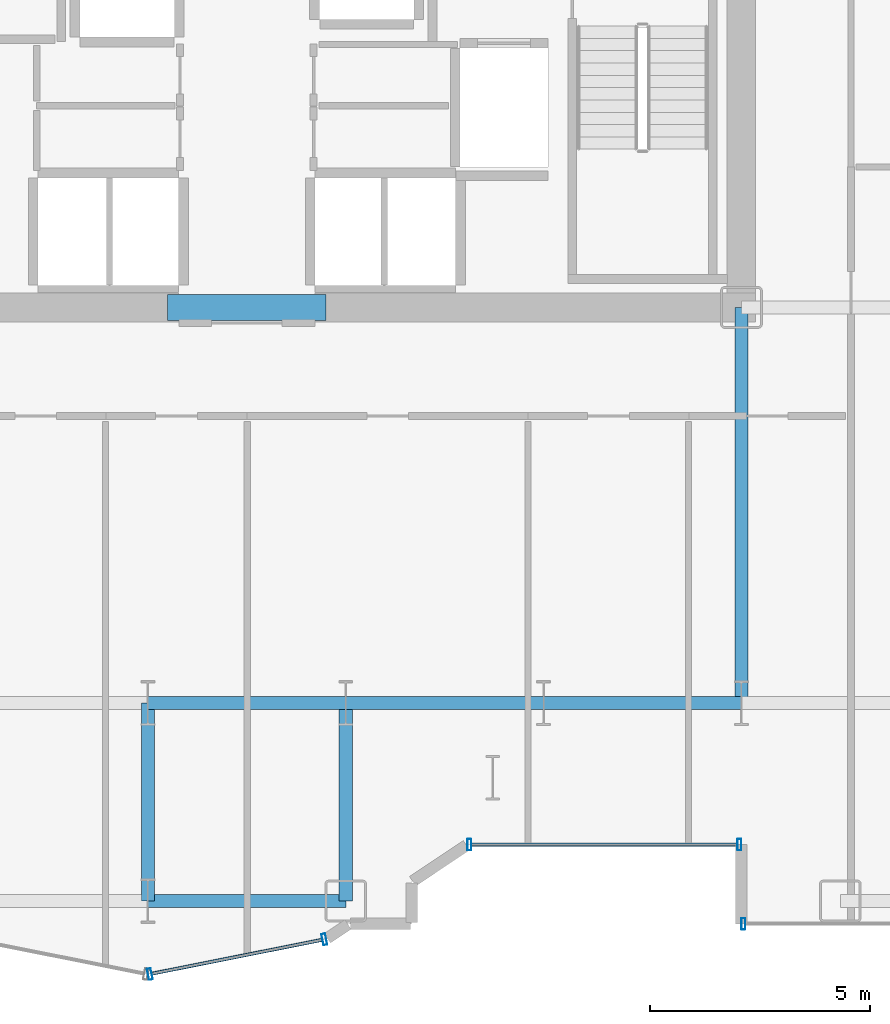
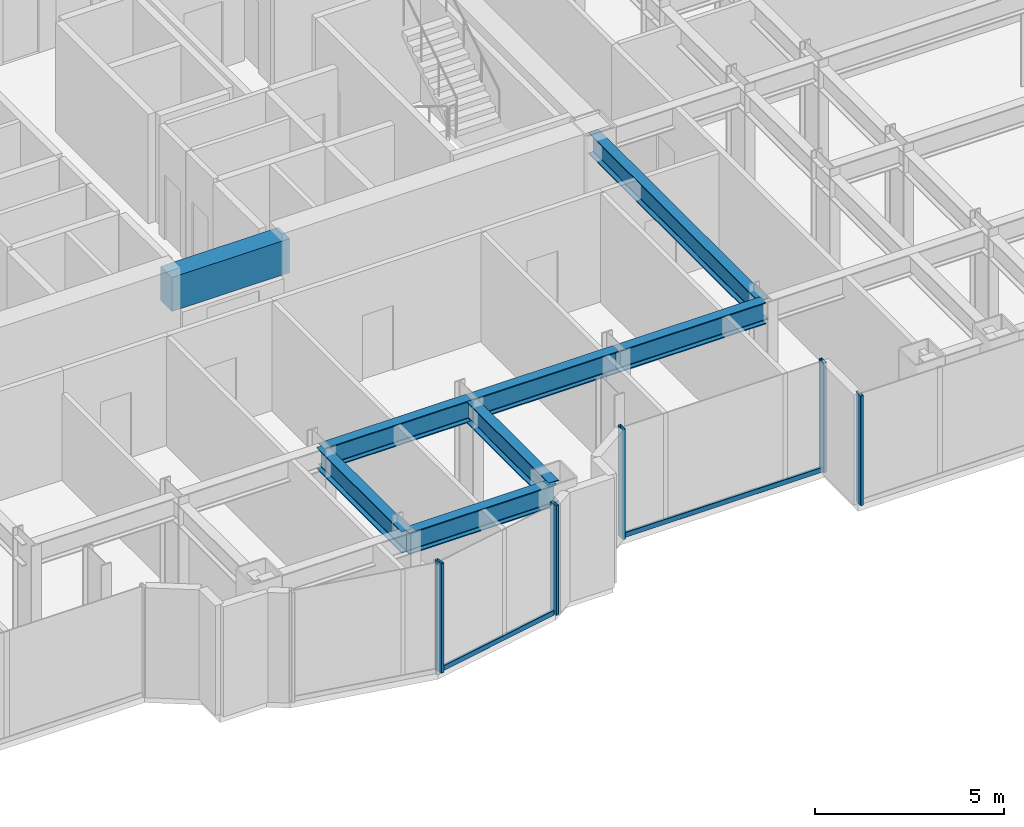
# One storey, part 6 of 25: 8 beams, 7 members, 3 elements without a shape of their own.
"""IFC4 building model written with IfcOpenShell, lengths in metres."""

from ifc_helpers import new_model, si_unit, direction, frame, origin, origin_2d, place, context, subcontext, project, spatial, rectangle, hollow_rectangle, i_section, extrude, source, transform, mapped, material, layer, layer_set, material_profile, profile_set, type_object, element, aggregate, save


model = new_model("IFC4")

# Units and contexts
model_context = context("Model", 3, precision=1e-05, world=origin(), true_north=direction((0.0, 1.0)))
body_context = subcontext(model_context, "Body", "Model", "MODEL_VIEW")
ifc_project = project(units=[si_unit("LENGTHUNIT", "METRE"), si_unit("AREAUNIT", "SQUARE_METRE"), si_unit("VOLUMEUNIT", "CUBIC_METRE"), si_unit("PLANEANGLEUNIT", "RADIAN"), si_unit("MASSUNIT", "GRAM", prefix="KILO")], contexts=[model_context])

# Site, building, storey
site_placement = place(None, origin())
site = spatial("IfcSite", under=ifc_project, at=site_placement, CompositionType="ELEMENT")
building_placement = place(site_placement, origin())
building = spatial("IfcBuilding", under=site, at=building_placement, Name="Nefas-Gora Pilgrimage Tower", CompositionType="ELEMENT")
storey_placement = place(building_placement, frame((0.0, 0.0, 74.800048828125)))
storey = spatial("IfcBuildingStorey", under=building, at=storey_placement, Name="L17", CompositionType="ELEMENT", Elevation=74.800048828125)

# Beams
ifc_material_1 = material(Name="Concrete C60/75", Category="concrete")
ifc_material_profile_1 = material_profile(ifc_material_1, rectangle(XDim=0.60009765625, YDim=1.10009765625, at=origin_2d()), Name="RC 600x1100")
ifc_profile_set_1 = profile_set([ifc_material_profile_1], Name="Concrete C60/75")
beam_type_1 = type_object("IfcBeamType", Name="BM-LIN-RC1100", PredefinedType="LINTEL", material=ifc_profile_set_1)
shared_shape_1 = source(origin(), body_context, "Body", "SweptSolid", [
    extrude(rectangle(XDim=0.60009765625, YDim=1.10009765625, at=origin_2d()), origin(), (0.0, 0.0, 1.0), 3.60009765625),
])
beam_1_placement = place(storey_placement, frame((-1.800048828125, -9.0, 3.0), z_axis=(1.0, 0.0, 0.0), x_axis=(0.0, 1.0, 0.0)))
element("IfcBeam", 1, at=beam_1_placement, inside=storey, type_object=beam_type_1, Name="L17 Core Coupling Lintel Beam S", PredefinedType="LINTEL", context=body_context, shape_type="MappedRepresentation", body=[
    mapped(shared_shape_1, transform((0.0, 0.0, 0.0), x_axis=(1.0, 0.0, 0.0), y_axis=(0.0, 1.0, 0.0), z_axis=(0.0, 0.0, 1.0), scale=1.0)),
])
ifc_material_2 = material(Name="Steel S355", Category="steel")
ifc_material_profile_2 = material_profile(ifc_material_2, i_section(OverallWidth=0.300048828125, OverallDepth=0.699951171875, WebThickness=0.01708984375, FlangeThickness=0.031982421875, FilletRadius=0.027099609375, at=origin_2d()), Name="HEB 700")
ifc_profile_set_2 = profile_set([ifc_material_profile_2], Name="Steel S355")
beam_type_2 = type_object("IfcBeamType", Name="BM-GIR-HEB700", PredefinedType="BEAM", material=ifc_profile_set_2)
shared_shape_2 = source(origin(), body_context, "Body", "SweptSolid", [
    extrude(i_section(OverallWidth=0.300048828125, OverallDepth=0.699951171875, WebThickness=0.01708984375, FlangeThickness=0.031982421875, FilletRadius=0.027099609375, at=origin_2d()), origin(), (0.0, 0.0, 1.0), 9.0),
])
beam_2_placement = place(storey_placement, frame((11.25, -18.0, 3.199951171875), z_axis=(0.0, 1.0, 0.0), x_axis=(-1.0, 0.0, 0.0)))
element("IfcBeam", 2, at=beam_2_placement, inside=storey, type_object=beam_type_2, Name="L17 G-02 beam", PredefinedType="BEAM", context=body_context, shape_type="MappedRepresentation", body=[
    mapped(shared_shape_2, transform((0.0, 0.0, 0.0), x_axis=(1.0, 0.0, 0.0), y_axis=(0.0, 1.0, 0.0), z_axis=(0.0, 0.0, 1.0), scale=1.0)),
])
shared_shape_3 = source(origin(), body_context, "Body", "SweptSolid", [
    extrude(i_section(OverallWidth=0.300048828125, OverallDepth=0.699951171875, WebThickness=0.01708984375, FlangeThickness=0.031982421875, FilletRadius=0.027099609375, at=origin_2d()), origin(), (0.0, 0.0, 1.0), 4.5),
])
for number, where, z_axis, x_axis, name in (
    (3, (-2.25, -22.5, 3.199951171875), (0.0, 1.0, 0.0), (-1.0, 0.0, 0.0), "L17 G-02 beam"),
    (4, (-2.25, -22.5, 3.199951171875), (1.0, 0.0, 0.0), (0.0, 1.0, 0.0), "L17 G-02 beam"),
    (5, (-2.25, -18.0, 3.199951171875), (1.0, 0.0, 0.0), (0.0, 1.0, 0.0), "L17 G-02 beam"),
    (6, (2.25, -22.5, 3.199951171875), (0.0, 1.0, 0.0), (-1.0, 0.0, 0.0), "L17 G-02 beam"),
    (7, (2.25, -18.0, 3.199951171875), (1.0, 0.0, 0.0), (0.0, 1.0, 0.0), "L17 G-02 beam"),
    (8, (6.75, -18.0, 3.199951171875), (1.0, 0.0, 0.0), (0.0, 1.0, 0.0), "L17 G-02 beam"),
):
    element("IfcBeam", number, at=place(storey_placement, frame(where, z_axis=z_axis, x_axis=x_axis)), inside=storey, type_object=beam_type_2, Name=name, PredefinedType="BEAM", context=body_context, shape_type="MappedRepresentation", body=[
        mapped(shared_shape_3, transform((0.0, 0.0, 0.0), x_axis=(1.0, 0.0, 0.0), y_axis=(0.0, 1.0, 0.0), z_axis=(0.0, 0.0, 1.0), scale=1.0)),
    ])

# Curtain wall, members
ifc_material_3 = material(Name="Dark ceramic-fritted solar-control aluminium-glass curtain wall", Category="aluminium")
ifc_layer_1 = layer(ifc_material_3, 0.219970703125)
ifc_layer_set_1 = layer_set([ifc_layer_1], Name="Dark ceramic-fritted solar-control aluminium-glass curtain wall")
curtain_wall_type_1 = type_object("IfcCurtainWallType", Name="CW-SYS-5", PredefinedType="NOTDEFINED", material=ifc_layer_set_1)
curtain_wall_1_placement = place(storey_placement, origin())
curtain_wall_1 = element("IfcCurtainWall", 9, at=curtain_wall_1_placement, inside=storey, type_object=curtain_wall_type_1, Name="L17 Unitised Curtain Wall CW5", PredefinedType="NOTDEFINED")
ifc_material_4 = material(Name="Anodised architectural aluminium", Category="aluminium")
ifc_material_profile_3 = material_profile(ifc_material_4, hollow_rectangle(XDim=0.090087890625, YDim=0.260009765625, WallThickness=0.006103515625, InnerFilletRadius=0.006103515625, OuterFilletRadius=0.011962890625, at=origin_2d()), Name="ALU MULLION 90x260")
ifc_profile_set_3 = profile_set([ifc_material_profile_3], Name="Anodised architectural aluminium")
member_type_1 = type_object("IfcMemberType", Name="CWM-MUL-5", PredefinedType="MULLION", material=ifc_profile_set_3)
shared_shape_4 = source(origin(), body_context, "Body", "SweptSolid", [
    extrude(hollow_rectangle(XDim=0.090087890625, YDim=0.260009765625, WallThickness=0.006103515625, InnerFilletRadius=0.006103515625, OuterFilletRadius=0.011962890625, at=origin_2d()), origin(), (0.0, 0.0, 1.0), 3.550048828125),
])
member_1_placement = place(storey_placement, frame((5.06298828125, -21.219970703125, 0.0), z_axis=(0.0, 0.0, 1.0), x_axis=(1.0, 0.0, 0.0)))
member_1 = element("IfcMember", 10, at=member_1_placement, type_object=member_type_1, Name="CW5 Mullion 1", PredefinedType="MULLION", context=body_context, shape_type="MappedRepresentation", body=[
    mapped(shared_shape_4, transform((0.0, 0.0, 0.0), x_axis=(1.0, 0.0, 0.0), y_axis=(0.0, 1.0, 0.0), z_axis=(0.0, 0.0, 1.0), scale=1.0)),
])
member_2_placement = place(storey_placement, frame((11.205078125, -21.219970703125, 0.0), z_axis=(0.0, 0.0, 1.0), x_axis=(1.0, 0.0, 0.0)))
member_2 = element("IfcMember", 11, at=member_2_placement, type_object=member_type_1, Name="CW5 Mullion 2", PredefinedType="MULLION", context=body_context, shape_type="MappedRepresentation", body=[
    mapped(shared_shape_4, transform((0.0, 0.0, 0.0), x_axis=(1.0, 0.0, 0.0), y_axis=(0.0, 1.0, 0.0), z_axis=(0.0, 0.0, 1.0), scale=1.0)),
])

curtain_wall_2_placement = place(storey_placement, origin())
curtain_wall_2 = element("IfcCurtainWall", 12, at=curtain_wall_2_placement, inside=storey, type_object=curtain_wall_type_1, Name="L17 Unitised Curtain Wall CW5", PredefinedType="NOTDEFINED")
member_3_placement = place(storey_placement, frame((-2.205810546875, -24.16357421875, 0.0), z_axis=(0.0, 0.0, 1.0), x_axis=(0.980782896852, 0.195102304554, 0.0)))
member_3 = element("IfcMember", 13, at=member_3_placement, type_object=member_type_1, Name="CW5 Mullion 1", PredefinedType="MULLION", context=body_context, shape_type="MappedRepresentation", body=[
    mapped(shared_shape_4, transform((0.0, 0.0, 0.0), x_axis=(1.0, 0.0, 0.0), y_axis=(0.0, 1.0, 0.0), z_axis=(0.0, 0.0, 1.0), scale=1.0)),
])
member_4_placement = place(storey_placement, frame((1.76318359375, -23.3740234375, 0.0), z_axis=(0.0, 0.0, 1.0), x_axis=(0.980782896852, 0.195102304554, 0.0)))
member_4 = element("IfcMember", 14, at=member_4_placement, type_object=member_type_1, Name="CW5 Mullion 2", PredefinedType="MULLION", context=body_context, shape_type="MappedRepresentation", body=[
    mapped(shared_shape_4, transform((0.0, 0.0, 0.0), x_axis=(1.0, 0.0, 0.0), y_axis=(0.0, 1.0, 0.0), z_axis=(0.0, 0.0, 1.0), scale=1.0)),
])

# Member
ifc_material_profile_4 = material_profile(ifc_material_4, hollow_rectangle(XDim=0.080078125, YDim=0.159912109375, WallThickness=0.00439453125, InnerFilletRadius=0.00439453125, OuterFilletRadius=0.009033203125, at=origin_2d()), Name="ALU TRANSOM 80x160")
ifc_profile_set_4 = profile_set([ifc_material_profile_4], Name="Anodised architectural aluminium")
member_type_2 = type_object("IfcMemberType", Name="CWM-TRN-5", PredefinedType="USERDEFINED", material=ifc_profile_set_4)
shared_shape_5 = source(origin(), body_context, "Body", "SweptSolid", [
    extrude(hollow_rectangle(XDim=0.080078125, YDim=0.159912109375, WallThickness=0.00439453125, InnerFilletRadius=0.00439453125, OuterFilletRadius=0.009033203125, at=origin_2d()), origin(), (0.0, 0.0, 1.0), 6.052001953125),
])
member_5_placement = place(storey_placement, frame((5.10791015625, -21.219970703125, 0.050048828125), z_axis=(1.0, 0.0, 0.0), x_axis=(0.0, 1.0, 0.0)))
member_5 = element("IfcMember", 15, at=member_5_placement, type_object=member_type_2, Name="CW5 Spandrel Transom", ObjectType="TRANSOM", PredefinedType="USERDEFINED", context=body_context, shape_type="MappedRepresentation", body=[
    mapped(shared_shape_5, transform((0.0, 0.0, 0.0), x_axis=(1.0, 0.0, 0.0), y_axis=(0.0, 1.0, 0.0), z_axis=(0.0, 0.0, 1.0), scale=1.0)),
])

aggregate(curtain_wall_1, [member_1, member_2, member_5])

# Curtain wall, member
ifc_layer_2 = layer(ifc_material_3, 0.219970703125)
ifc_layer_set_2 = layer_set([ifc_layer_2], Name="Dark ceramic-fritted solar-control aluminium-glass curtain wall")
curtain_wall_type_2 = type_object("IfcCurtainWallType", Name="CW-SYS-2", PredefinedType="NOTDEFINED", material=ifc_layer_set_2)
curtain_wall_3_placement = place(storey_placement, origin())
curtain_wall_3 = element("IfcCurtainWall", 16, at=curtain_wall_3_placement, inside=storey, type_object=curtain_wall_type_2, Name="L17 Unitised Curtain Wall CW2", PredefinedType="NOTDEFINED")
ifc_material_profile_5 = material_profile(ifc_material_4, hollow_rectangle(XDim=0.090087890625, YDim=0.260009765625, WallThickness=0.006103515625, InnerFilletRadius=0.006103515625, OuterFilletRadius=0.011962890625, at=origin_2d()), Name="ALU MULLION 90x260")
ifc_profile_set_5 = profile_set([ifc_material_profile_5], Name="Anodised architectural aluminium")
member_type_3 = type_object("IfcMemberType", Name="CWM-MUL-2", PredefinedType="MULLION", material=ifc_profile_set_5)
shared_shape_6 = source(origin(), body_context, "Body", "SweptSolid", [
    extrude(hollow_rectangle(XDim=0.090087890625, YDim=0.260009765625, WallThickness=0.006103515625, InnerFilletRadius=0.006103515625, OuterFilletRadius=0.011962890625, at=origin_2d()), origin(), (0.0, 0.0, 1.0), 3.550048828125),
])
member_6_placement = place(storey_placement, frame((11.294921875, -23.02001953125, 0.0), z_axis=(0.0, 0.0, 1.0), x_axis=(1.0, 0.0, 0.0)))
member_6 = element("IfcMember", 17, at=member_6_placement, type_object=member_type_3, Name="CW2 Mullion 1", PredefinedType="MULLION", context=body_context, shape_type="MappedRepresentation", body=[
    mapped(shared_shape_6, transform((0.0, 0.0, 0.0), x_axis=(1.0, 0.0, 0.0), y_axis=(0.0, 1.0, 0.0), z_axis=(0.0, 0.0, 1.0), scale=1.0)),
])
aggregate(curtain_wall_3, [member_6])

# Member
shared_shape_7 = source(origin(), body_context, "Body", "SweptSolid", [
    extrude(hollow_rectangle(XDim=0.080078125, YDim=0.159912109375, WallThickness=0.00439453125, InnerFilletRadius=0.00439453125, OuterFilletRadius=0.009033203125, at=origin_2d()), origin(), (0.0, 0.0, 1.0), 3.95654296875),
])
member_7_placement = place(storey_placement, frame((-2.16162109375, -24.15478515625, 0.050048828125), z_axis=(0.980781880918, 0.195107411605, 0.0), x_axis=(-0.195107411605, 0.980781880918, 0.0)))
member_7 = element("IfcMember", 18, at=member_7_placement, type_object=member_type_2, Name="CW5 Spandrel Transom", ObjectType="TRANSOM", PredefinedType="USERDEFINED", context=body_context, shape_type="MappedRepresentation", body=[
    mapped(shared_shape_7, transform((0.0, 0.0, 0.0), x_axis=(1.0, 0.0, 0.0), y_axis=(0.0, 1.0, 0.0), z_axis=(0.0, 0.0, 1.0), scale=1.0)),
])

aggregate(curtain_wall_2, [member_3, member_4, member_7])

save(model, "model.ifc")
